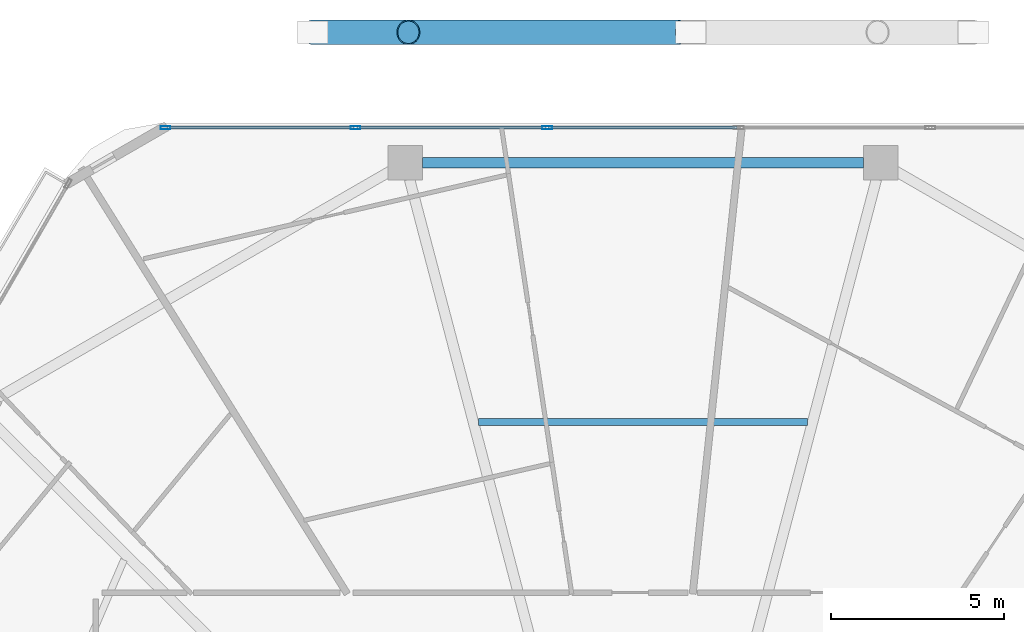
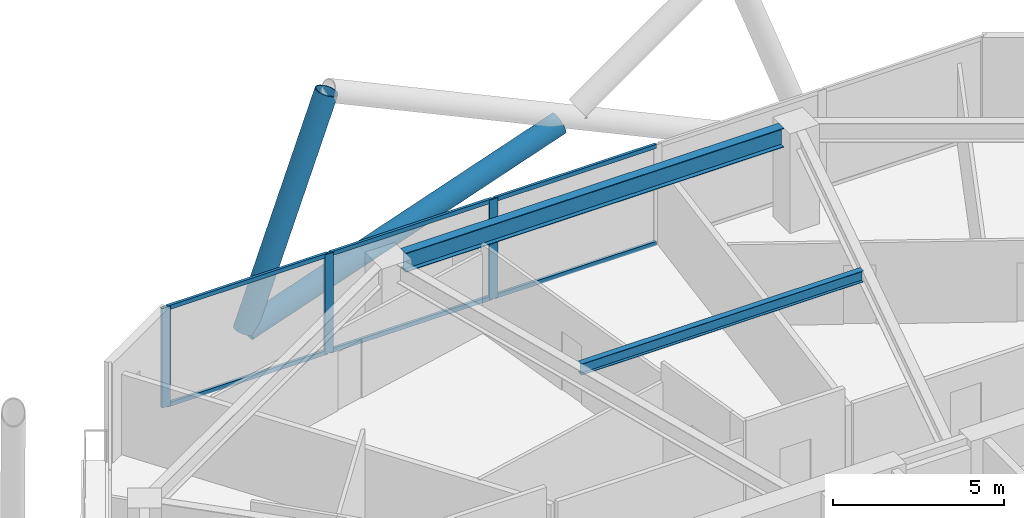
# One storey, part 15 of 30: 11 members, 2 beams, 1 element without a shape of its own.
"""IFC4 building model written with IfcOpenShell, lengths in metres."""

from ifc_helpers import new_model, si_unit, direction, frame, origin, origin_2d, place, context, subcontext, project, spatial, hollow_rectangle, hollow_circle, i_section, extrude, material, material_profile, profile_set, type_object, element, aggregate, save


model = new_model("IFC4")

# Units and contexts
model_context = context("Model", 3, precision=1e-05, world=origin(), true_north=direction((0.0, 1.0)))
body_context = subcontext(model_context, "Body", "Model", "MODEL_VIEW")
ifc_project = project(units=[si_unit("LENGTHUNIT", "METRE"), si_unit("AREAUNIT", "SQUARE_METRE"), si_unit("VOLUMEUNIT", "CUBIC_METRE"), si_unit("PLANEANGLEUNIT", "RADIAN"), si_unit("MASSUNIT", "GRAM", prefix="KILO")], contexts=[model_context])

# Site, building, storey
site_placement = place(None, origin())
site = spatial("IfcSite", under=ifc_project, at=site_placement, CompositionType="ELEMENT")
building_placement = place(site_placement, origin())
building = spatial("IfcBuilding", under=site, at=building_placement, Name="Zuhravey Tower", CompositionType="ELEMENT")
storey_placement = place(building_placement, frame((0.0, 0.0, 177.0)))
storey = spatial("IfcBuildingStorey", under=building, at=storey_placement, Name="L44", CompositionType="ELEMENT", Elevation=177.0)

# Curtain wall, members
ifc_material_1 = material(Name="Thermally broken anodised aluminium", Category="aluminium")
curtain_wall_type = type_object("IfcCurtainWallType", Name="Zone 1-2 Residential Curtain Wall CW3", PredefinedType="NOTDEFINED", material=ifc_material_1)
curtain_wall_placement = place(storey_placement, origin())
curtain_wall = element("IfcCurtainWall", 1, at=curtain_wall_placement, inside=storey, type_object=curtain_wall_type, Name="L44 CW3 CW-L44-F2-1", PredefinedType="NOTDEFINED")
ifc_material_2 = material(Name="Anodised aluminium", Category="aluminium")
ifc_material_profile_1 = material_profile(ifc_material_2, hollow_rectangle(XDim=0.090087890625, YDim=0.284912109375, WallThickness=0.0048828125, at=origin_2d()), Name="ALU-RHS-90x285x5")
ifc_profile_set_1 = profile_set([ifc_material_profile_1], Name="Anodised aluminium")
member_type_1 = type_object("IfcMemberType", Name="Curtain-Wall Mullion 90x180", PredefinedType="MULLION", material=ifc_profile_set_1)
member_1_placement = place(storey_placement, frame((22.183837890625, 59.18310546875, 0.0), z_axis=(0.0, 0.0, 1.0), x_axis=(0.0, 1.0, 0.0)))
member_1 = element("IfcMember", 2, at=member_1_placement, type_object=member_type_1, Name="CW3 mullion 1", PredefinedType="MULLION", context=body_context, shape_type="SweptSolid", body=[
    extrude(hollow_rectangle(XDim=0.090087890625, YDim=0.284912109375, WallThickness=0.0048828125, at=origin_2d()), origin(), (0.0, 0.0, 1.0), 3.550048828125),
])
member_2_placement = place(storey_placement, frame((27.683349609375, 59.18310546875, 0.0), z_axis=(0.0, 0.0, 1.0), x_axis=(0.0, 1.0, 0.0)))
member_2 = element("IfcMember", 3, at=member_2_placement, type_object=member_type_1, Name="CW3 mullion 2", PredefinedType="MULLION", context=body_context, shape_type="SweptSolid", body=[
    extrude(hollow_rectangle(XDim=0.090087890625, YDim=0.284912109375, WallThickness=0.0048828125, at=origin_2d()), origin(), (0.0, 0.0, 1.0), 3.550048828125),
])
member_3_placement = place(storey_placement, frame((33.227783203125, 59.18310546875, 0.0), z_axis=(0.0, 0.0, 1.0), x_axis=(0.0, 1.0, 0.0)))
member_3 = element("IfcMember", 4, at=member_3_placement, type_object=member_type_1, Name="CW3 mullion 3", PredefinedType="MULLION", context=body_context, shape_type="SweptSolid", body=[
    extrude(hollow_rectangle(XDim=0.090087890625, YDim=0.284912109375, WallThickness=0.0048828125, at=origin_2d()), origin(), (0.0, 0.0, 1.0), 3.550048828125),
])
ifc_material_profile_2 = material_profile(ifc_material_2, hollow_rectangle(XDim=0.090087890625, YDim=0.14990234375, WallThickness=0.0048828125, at=origin_2d()), Name="ALU-RHS-90x150x5")
ifc_profile_set_2 = profile_set([ifc_material_profile_2], Name="Anodised aluminium")
member_type_2 = type_object("IfcMemberType", Name="Curtain-Wall Transom 90x150", PredefinedType="USERDEFINED", material=ifc_profile_set_2)
member_4_placement = place(storey_placement, frame((22.22900390625, 59.18310546875, 0.044921875), z_axis=(1.0, 0.0, 0.0), x_axis=(0.0, 1.0, 0.0)))
member_4 = element("IfcMember", 5, at=member_4_placement, type_object=member_type_2, Name="CW3 transom 1.1", ObjectType="TRANSOM", PredefinedType="USERDEFINED", context=body_context, shape_type="SweptSolid", body=[
    extrude(hollow_rectangle(XDim=0.090087890625, YDim=0.14990234375, WallThickness=0.0048828125, at=origin_2d()), origin(), (0.0, 0.0, 1.0), 5.409423828125),
])
member_5_placement = place(storey_placement, frame((22.22900390625, 59.18310546875, 3.5048828125), z_axis=(1.0, 0.0, 0.0), x_axis=(0.0, 1.0, 0.0)))
member_5 = element("IfcMember", 6, at=member_5_placement, type_object=member_type_2, Name="CW3 transom 1.2", ObjectType="TRANSOM", PredefinedType="USERDEFINED", context=body_context, shape_type="SweptSolid", body=[
    extrude(hollow_rectangle(XDim=0.090087890625, YDim=0.14990234375, WallThickness=0.0048828125, at=origin_2d()), origin(), (0.0, 0.0, 1.0), 5.409423828125),
])
member_6_placement = place(storey_placement, frame((27.728271484375, 59.18310546875, 0.044921875), z_axis=(1.0, 0.0, 0.0), x_axis=(0.0, 1.0, 0.0)))
member_6 = element("IfcMember", 7, at=member_6_placement, type_object=member_type_2, Name="CW3 transom 2.1", ObjectType="TRANSOM", PredefinedType="USERDEFINED", context=body_context, shape_type="SweptSolid", body=[
    extrude(hollow_rectangle(XDim=0.090087890625, YDim=0.14990234375, WallThickness=0.0048828125, at=origin_2d()), origin(), (0.0, 0.0, 1.0), 5.45458984375),
])
member_7_placement = place(storey_placement, frame((27.728271484375, 59.18310546875, 3.5048828125), z_axis=(1.0, 0.0, 0.0), x_axis=(0.0, 1.0, 0.0)))
member_7 = element("IfcMember", 8, at=member_7_placement, type_object=member_type_2, Name="CW3 transom 2.2", ObjectType="TRANSOM", PredefinedType="USERDEFINED", context=body_context, shape_type="SweptSolid", body=[
    extrude(hollow_rectangle(XDim=0.090087890625, YDim=0.14990234375, WallThickness=0.0048828125, at=origin_2d()), origin(), (0.0, 0.0, 1.0), 5.45458984375),
])
member_8_placement = place(storey_placement, frame((33.272705078125, 59.18310546875, 0.044921875), z_axis=(1.0, 0.0, 0.0), x_axis=(0.0, 1.0, 0.0)))
member_8 = element("IfcMember", 9, at=member_8_placement, type_object=member_type_2, Name="CW3 transom 3.1", ObjectType="TRANSOM", PredefinedType="USERDEFINED", context=body_context, shape_type="SweptSolid", body=[
    extrude(hollow_rectangle(XDim=0.090087890625, YDim=0.14990234375, WallThickness=0.0048828125, at=origin_2d()), origin(), (0.0, 0.0, 1.0), 5.45458984375),
])
member_9_placement = place(storey_placement, frame((33.272705078125, 59.18310546875, 3.5048828125), z_axis=(1.0, 0.0, 0.0), x_axis=(0.0, 1.0, 0.0)))
member_9 = element("IfcMember", 10, at=member_9_placement, type_object=member_type_2, Name="CW3 transom 3.2", ObjectType="TRANSOM", PredefinedType="USERDEFINED", context=body_context, shape_type="SweptSolid", body=[
    extrude(hollow_rectangle(XDim=0.090087890625, YDim=0.14990234375, WallThickness=0.0048828125, at=origin_2d()), origin(), (0.0, 0.0, 1.0), 5.45458984375),
])
aggregate(curtain_wall, [member_1, member_2, member_3, member_4, member_5, member_6, member_7, member_8, member_9])

# Members
ifc_material_3 = material(Name="Steel SM460", Category="steel")
ifc_material_profile_3 = material_profile(ifc_material_3, hollow_circle(Radius=0.355712890625, WallThickness=0.031982421875, at=origin_2d()), Name="CHS-711.2x32")
ifc_profile_set_3 = profile_set([ifc_material_profile_3], Name="Steel SM460")
member_type_3 = type_object("IfcMemberType", Name="Exoskeleton Zone 2 Diagrid CHS711x32", PredefinedType="BRACE", material=ifc_profile_set_3)
member_10_placement = place(storey_placement, frame((26.452392578125, 61.943115234375, -0.444091796875), z_axis=(0.342858392965, 0.0, 0.939387099323), x_axis=(0.0, 1.0, 0.0)))
element("IfcMember", 11, at=member_10_placement, inside=storey, type_object=member_type_3, Name="L44 Face 2 Diagrid Brace 4", PredefinedType="BRACE", context=body_context, shape_type="SweptSolid", body=[
    extrude(hollow_circle(Radius=0.355712890625, WallThickness=0.031982421875, at=origin_2d()), origin(), (0.0, 0.0, 1.0), 8.0478515625),
])
member_11_placement = place(storey_placement, frame((26.48974609375, 61.943115234375, -0.448486328125), z_axis=(0.944653568891, 0.0, 0.328069557841), x_axis=(0.0, 1.0, 0.0)))
element("IfcMember", 12, at=member_11_placement, inside=storey, type_object=member_type_3, Name="L44 Face 2 Split Diagrid Brace 3A", PredefinedType="BRACE", context=body_context, shape_type="SweptSolid", body=[
    extrude(hollow_circle(Radius=0.355712890625, WallThickness=0.031982421875, at=origin_2d()), origin(), (0.0, 0.0, 1.0), 11.190185546875),
])

# Beams
ifc_material_4 = material(Name="Steel SM355", Category="steel")
ifc_material_profile_4 = material_profile(ifc_material_4, i_section(OverallWidth=0.300048828125, OverallDepth=0.679931640625, WebThickness=0.012939453125, FlangeThickness=0.02197265625, at=origin_2d()), Name="H-680x300x13x22")
ifc_profile_set_4 = profile_set([ifc_material_profile_4], Name="Steel SM355")
beam_type_1 = type_object("IfcBeamType", Name="Perimeter Ring Beam H680x300", PredefinedType="BEAM", material=ifc_profile_set_4)
beam_1_placement = place(storey_placement, frame((42.37890625, 58.173095703125, 3.2099609375), z_axis=(-1.0, 0.0, 0.0), x_axis=(0.0, -1.0, 0.0)))
element("IfcBeam", 13, at=beam_1_placement, inside=storey, type_object=beam_type_1, Name="L44 PB2 BM-L44-PB-03", PredefinedType="BEAM", context=body_context, shape_type="SweptSolid", body=[
    extrude(i_section(OverallWidth=0.300048828125, OverallDepth=0.679931640625, WebThickness=0.012939453125, FlangeThickness=0.02197265625, at=origin_2d()), origin(), (0.0, 0.0, 1.0), 12.7578125),
])
ifc_material_profile_5 = material_profile(ifc_material_4, i_section(OverallWidth=0.199951171875, OverallDepth=0.39990234375, WebThickness=0.008056640625, FlangeThickness=0.012939453125, at=origin_2d()), Name="H-400x200x8x13")
ifc_profile_set_5 = profile_set([ifc_material_profile_5], Name="Steel SM355")
beam_type_2 = type_object("IfcBeamType", Name="Secondary Floor Joist H400x200", PredefinedType="JOIST", material=ifc_profile_set_5)
beam_2_placement = place(storey_placement, frame((40.754150390625, 50.665771484375, 3.35009765625), z_axis=(-1.0, 0.0, 0.0), x_axis=(0.0, -1.0, 0.0)))
element("IfcBeam", 14, at=beam_2_placement, inside=storey, type_object=beam_type_2, Name="L44 SJ2 BM-L44-SJ-03-1", PredefinedType="JOIST", context=body_context, shape_type="SweptSolid", body=[
    extrude(i_section(OverallWidth=0.199951171875, OverallDepth=0.39990234375, WebThickness=0.008056640625, FlangeThickness=0.012939453125, at=origin_2d()), origin(), (0.0, 0.0, 1.0), 9.50830078125),
])

save(model, "model.ifc")
